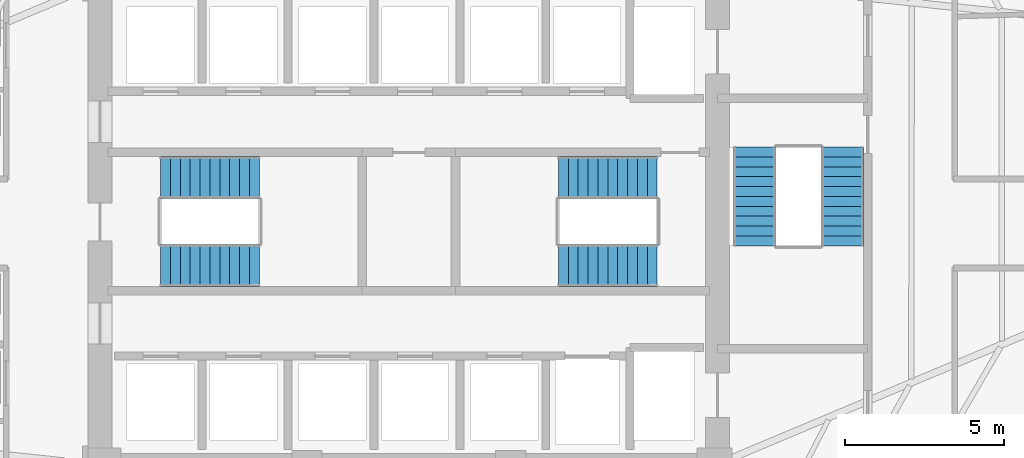
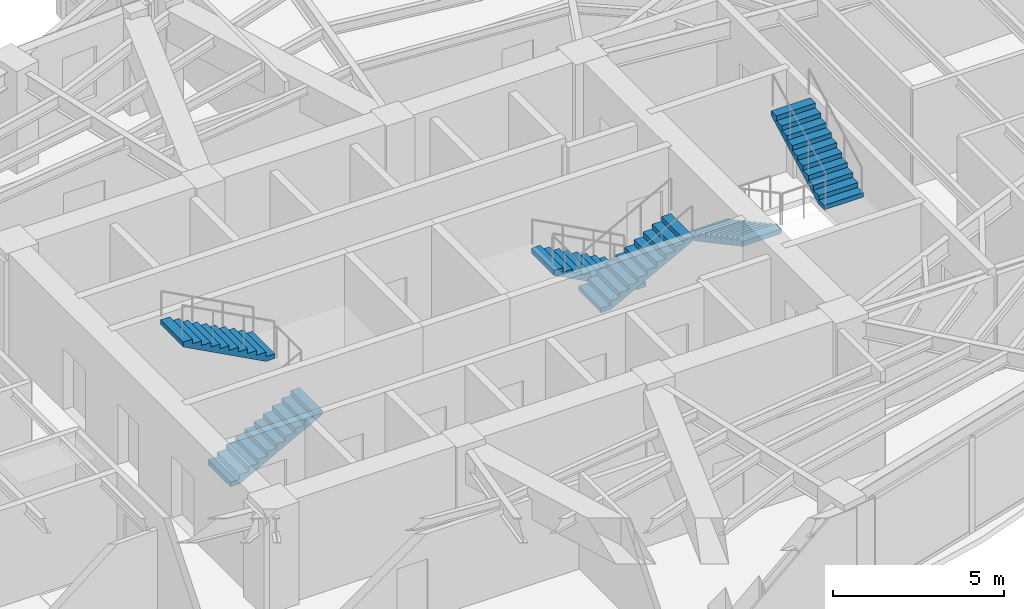
# One storey, part 22 of 24: 6 stair flights, 3 elements without a shape of their own.
"""IFC4 building model written with IfcOpenShell, lengths in metres."""

from ifc_helpers import new_model, si_unit, direction, frame, origin, place, context, subcontext, project, spatial, polyline, outline, extrude, material, type_object, element, aggregate, save


model = new_model("IFC4")

# Units and contexts
model_context = context("Model", 3, precision=1e-05, world=origin(), true_north=direction((0.0, 1.0)))
body_context = subcontext(model_context, "Body", "Model", "MODEL_VIEW")
ifc_project = project(units=[si_unit("LENGTHUNIT", "METRE"), si_unit("AREAUNIT", "SQUARE_METRE"), si_unit("VOLUMEUNIT", "CUBIC_METRE"), si_unit("PLANEANGLEUNIT", "RADIAN"), si_unit("MASSUNIT", "GRAM", prefix="KILO")], contexts=[model_context])

# Site, building, storey
site_placement = place(None, origin())
site = spatial("IfcSite", under=ifc_project, at=site_placement, CompositionType="ELEMENT")
building_placement = place(site_placement, origin())
building = spatial("IfcBuilding", under=site, at=building_placement, Name="Lazwardi Medical Tower", CompositionType="ELEMENT")
storey_placement = place(building_placement, frame((0.0, 0.0, 99.98388671875)))
storey = spatial("IfcBuildingStorey", under=building, at=storey_placement, Name="L25", CompositionType="ELEMENT", Elevation=99.98388671875)

# Stair, stair flights
ifc_material = material(Name="Concrete C45/55", Category="concrete")
stair_type = type_object("IfcStairType", Name="STR-WRD", PredefinedType="HALF_TURN_STAIR", material=ifc_material)
stair_1_placement = place(storey_placement, origin())
stair_1 = element("IfcStair", 1, at=stair_1_placement, inside=storey, type_object=stair_type, Name="L25 Protected Exit Stair ST1", PredefinedType="HALF_TURN_STAIR")
stair_flight_type = type_object("IfcStairFlightType", Name="FLT-WRD", PredefinedType="STRAIGHT", material=ifc_material)
stair_flight_1_placement = place(storey_placement, frame((28.199951171875, 26.679931640625, 0.0), z_axis=(0.0, 0.0, 1.0), x_axis=(1.0, 0.0, 0.0)))
stair_flight_1 = element("IfcStairFlight", 2, at=stair_flight_1_placement, type_object=stair_flight_type, Name="ST1 flight 1", NumberOfRisers=11, NumberOfTreads=10, PredefinedType="STRAIGHT", RiserHeight=0.165818182, TreadLength=0.31, context=body_context, shape_type="SweptSolid", body=[
    extrude(outline(polyline([(0.0, 0.0), (0.0, 0.165771484375), (0.31005859375, 0.165771484375), (0.31005859375, 0.33154296875), (0.6201171875, 0.33154296875), (0.6201171875, 0.49755859375), (0.929931640625, 0.49755859375), (0.929931640625, 0.663330078125), (1.239990234375, 0.663330078125), (1.239990234375, 0.8291015625), (1.550048828125, 0.8291015625), (1.550048828125, 0.994873046875), (1.860107421875, 0.994873046875), (1.860107421875, 1.16064453125), (2.169921875, 1.16064453125), (2.169921875, 1.32666015625), (2.47998046875, 1.32666015625), (2.47998046875, 1.492431640625), (2.7900390625, 1.492431640625), (2.7900390625, 1.658203125), (3.10009765625, 1.658203125), (3.10009765625, 1.823974609375), (3.10009765625, 1.48828125), (0.31787109375, 0.0), (0.0, 0.0)])), frame((0.0, 0.66015625, 0.0), z_axis=(0.0, -1.0, 0.0), x_axis=(1.0, 0.0, 0.0)), (0.0, 0.0, 1.0), 1.320068359375),
])
stair_flight_2_placement = place(storey_placement, frame((31.300048828125, 29.43994140625, 1.82421875), z_axis=(0.0, 0.0, 1.0), x_axis=(-1.0, 0.0, 0.0)))
stair_flight_2 = element("IfcStairFlight", 3, at=stair_flight_2_placement, type_object=stair_flight_type, Name="ST1 flight 2", NumberOfRisers=11, NumberOfTreads=10, PredefinedType="STRAIGHT", RiserHeight=0.165818182, TreadLength=0.31, context=body_context, shape_type="SweptSolid", body=[
    extrude(outline(polyline([(0.0, 0.0), (0.0, 0.165771484375), (0.31005859375, 0.165771484375), (0.31005859375, 0.33154296875), (0.6201171875, 0.33154296875), (0.6201171875, 0.49755859375), (0.929931640625, 0.49755859375), (0.929931640625, 0.663330078125), (1.239990234375, 0.663330078125), (1.239990234375, 0.8291015625), (1.550048828125, 0.8291015625), (1.550048828125, 0.994873046875), (1.860107421875, 0.994873046875), (1.860107421875, 1.16064453125), (2.169921875, 1.16064453125), (2.169921875, 1.32666015625), (2.47998046875, 1.32666015625), (2.47998046875, 1.492431640625), (2.7900390625, 1.492431640625), (2.7900390625, 1.658203125), (3.10009765625, 1.658203125), (3.10009765625, 1.823974609375), (3.10009765625, 1.48828125), (0.31787109375, 0.0), (0.0, 0.0)])), frame((0.0, 0.66015625, 0.0), z_axis=(0.0, -1.0, 0.0), x_axis=(1.0, 0.0, 0.0)), (0.0, 0.0, 1.0), 1.320068359375),
])
aggregate(stair_1, [stair_flight_1, stair_flight_2])

stair_2_placement = place(storey_placement, origin())
stair_2 = element("IfcStair", 4, at=stair_2_placement, inside=storey, type_object=stair_type, Name="L25 Protected Exit Stair ST2", PredefinedType="HALF_TURN_STAIR")
stair_flight_3_placement = place(storey_placement, frame((43.800048828125, 29.43994140625, 0.0), z_axis=(0.0, 0.0, 1.0), x_axis=(-1.0, 0.0, 0.0)))
stair_flight_3 = element("IfcStairFlight", 5, at=stair_flight_3_placement, type_object=stair_flight_type, Name="ST2 flight 1", NumberOfRisers=11, NumberOfTreads=10, PredefinedType="STRAIGHT", RiserHeight=0.165818182, TreadLength=0.31, context=body_context, shape_type="SweptSolid", body=[
    extrude(outline(polyline([(0.0, 0.0), (0.0, 0.165771484375), (0.31005859375, 0.165771484375), (0.31005859375, 0.33154296875), (0.6201171875, 0.33154296875), (0.6201171875, 0.49755859375), (0.929931640625, 0.49755859375), (0.929931640625, 0.663330078125), (1.239990234375, 0.663330078125), (1.239990234375, 0.8291015625), (1.550048828125, 0.8291015625), (1.550048828125, 0.994873046875), (1.860107421875, 0.994873046875), (1.860107421875, 1.16064453125), (2.169921875, 1.16064453125), (2.169921875, 1.32666015625), (2.47998046875, 1.32666015625), (2.47998046875, 1.492431640625), (2.7900390625, 1.492431640625), (2.7900390625, 1.658203125), (3.10009765625, 1.658203125), (3.10009765625, 1.823974609375), (3.10009765625, 1.48828125), (0.31787109375, 0.0), (0.0, 0.0)])), frame((0.0, 0.66015625, 0.0), z_axis=(0.0, -1.0, 0.0), x_axis=(1.0, 0.0, 0.0)), (0.0, 0.0, 1.0), 1.320068359375),
])
stair_flight_4_placement = place(storey_placement, frame((40.699951171875, 26.679931640625, 1.82421875), z_axis=(0.0, 0.0, 1.0), x_axis=(1.0, 0.0, 0.0)))
stair_flight_4 = element("IfcStairFlight", 6, at=stair_flight_4_placement, type_object=stair_flight_type, Name="ST2 flight 2", NumberOfRisers=11, NumberOfTreads=10, PredefinedType="STRAIGHT", RiserHeight=0.165818182, TreadLength=0.31, context=body_context, shape_type="SweptSolid", body=[
    extrude(outline(polyline([(0.0, 0.0), (0.0, 0.165771484375), (0.31005859375, 0.165771484375), (0.31005859375, 0.33154296875), (0.6201171875, 0.33154296875), (0.6201171875, 0.49755859375), (0.929931640625, 0.49755859375), (0.929931640625, 0.663330078125), (1.239990234375, 0.663330078125), (1.239990234375, 0.8291015625), (1.550048828125, 0.8291015625), (1.550048828125, 0.994873046875), (1.860107421875, 0.994873046875), (1.860107421875, 1.16064453125), (2.169921875, 1.16064453125), (2.169921875, 1.32666015625), (2.47998046875, 1.32666015625), (2.47998046875, 1.492431640625), (2.7900390625, 1.492431640625), (2.7900390625, 1.658203125), (3.10009765625, 1.658203125), (3.10009765625, 1.823974609375), (3.10009765625, 1.48828125), (0.31787109375, 0.0), (0.0, 0.0)])), frame((0.0, 0.66015625, 0.0), z_axis=(0.0, -1.0, 0.0), x_axis=(1.0, 0.0, 0.0)), (0.0, 0.0, 1.0), 1.320068359375),
])
aggregate(stair_2, [stair_flight_3, stair_flight_4])

stair_3_placement = place(storey_placement, origin())
stair_3 = element("IfcStair", 7, at=stair_3_placement, inside=storey, type_object=stair_type, Name="L25 Protected Exit Stair ST3", PredefinedType="HALF_TURN_STAIR")
stair_flight_5_placement = place(storey_placement, frame((46.860107421875, 30.39990234375, 0.0), z_axis=(0.0, 0.0, 1.0), x_axis=(0.0, -1.0, 0.0)))
stair_flight_5 = element("IfcStairFlight", 8, at=stair_flight_5_placement, type_object=stair_flight_type, Name="ST3 flight 1", NumberOfRisers=11, NumberOfTreads=10, PredefinedType="STRAIGHT", RiserHeight=0.165818182, TreadLength=0.31, context=body_context, shape_type="SweptSolid", body=[
    extrude(outline(polyline([(0.0, 0.0), (0.0, 0.165771484375), (0.31005859375, 0.165771484375), (0.31005859375, 0.33154296875), (0.6201171875, 0.33154296875), (0.6201171875, 0.49755859375), (0.929931640625, 0.49755859375), (0.929931640625, 0.663330078125), (1.239990234375, 0.663330078125), (1.239990234375, 0.8291015625), (1.550048828125, 0.8291015625), (1.550048828125, 0.994873046875), (1.860107421875, 0.994873046875), (1.860107421875, 1.16064453125), (2.169921875, 1.16064453125), (2.169921875, 1.32666015625), (2.47998046875, 1.32666015625), (2.47998046875, 1.492431640625), (2.7900390625, 1.492431640625), (2.7900390625, 1.658203125), (3.10009765625, 1.658203125), (3.10009765625, 1.823974609375), (3.10009765625, 1.48828125), (0.31787109375, 0.0), (0.0, 0.0)])), frame((0.0, 0.66015625, 0.0), z_axis=(0.0, -1.0, 0.0), x_axis=(1.0, 0.0, 0.0)), (0.0, 0.0, 1.0), 1.320068359375),
])
stair_flight_6_placement = place(storey_placement, frame((49.6201171875, 27.300048828125, 1.82421875), z_axis=(0.0, 0.0, 1.0), x_axis=(0.0, 1.0, 0.0)))
stair_flight_6 = element("IfcStairFlight", 9, at=stair_flight_6_placement, type_object=stair_flight_type, Name="ST3 flight 2", NumberOfRisers=11, NumberOfTreads=10, PredefinedType="STRAIGHT", RiserHeight=0.165818182, TreadLength=0.31, context=body_context, shape_type="SweptSolid", body=[
    extrude(outline(polyline([(0.0, 0.0), (0.0, 0.165771484375), (0.31005859375, 0.165771484375), (0.31005859375, 0.33154296875), (0.6201171875, 0.33154296875), (0.6201171875, 0.49755859375), (0.929931640625, 0.49755859375), (0.929931640625, 0.663330078125), (1.239990234375, 0.663330078125), (1.239990234375, 0.8291015625), (1.550048828125, 0.8291015625), (1.550048828125, 0.994873046875), (1.860107421875, 0.994873046875), (1.860107421875, 1.16064453125), (2.169921875, 1.16064453125), (2.169921875, 1.32666015625), (2.47998046875, 1.32666015625), (2.47998046875, 1.492431640625), (2.7900390625, 1.492431640625), (2.7900390625, 1.658203125), (3.10009765625, 1.658203125), (3.10009765625, 1.823974609375), (3.10009765625, 1.48828125), (0.31787109375, 0.0), (0.0, 0.0)])), frame((0.0, 0.66015625, 0.0), z_axis=(0.0, -1.0, 0.0), x_axis=(1.0, 0.0, 0.0)), (0.0, 0.0, 1.0), 1.320068359375),
])
aggregate(stair_3, [stair_flight_5, stair_flight_6])

save(model, "model.ifc")
